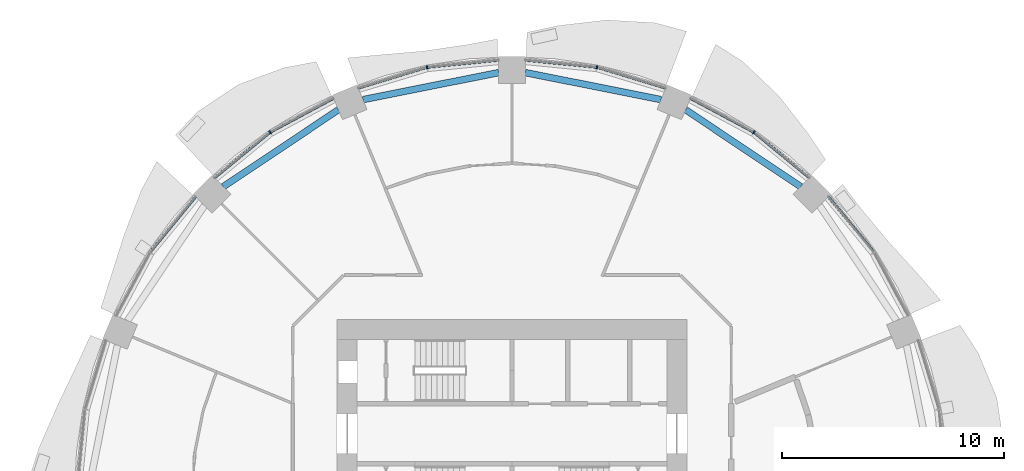
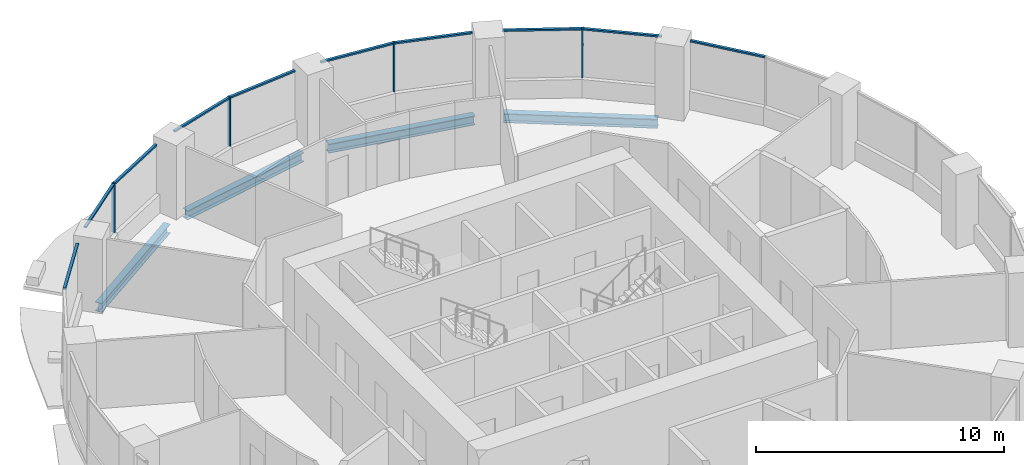
# One storey, part 6 of 15: 14 members, 4 beams, 6 elements without a shape of their own.
"""IFC4 building model written with IfcOpenShell, lengths in metres."""

from ifc_helpers import new_model, si_unit, direction, frame, origin, origin_2d, place, context, subcontext, project, spatial, rectangle, i_section, extrude, material, material_profile, profile_set, type_object, element, aggregate, save


model = new_model("IFC4")

# Units and contexts
model_context = context("Model", 3, precision=1e-05, world=origin(), true_north=direction((0.0, 1.0)))
body_context = subcontext(model_context, "Body", "Model", "MODEL_VIEW")
ifc_project = project(units=[si_unit("LENGTHUNIT", "METRE"), si_unit("AREAUNIT", "SQUARE_METRE"), si_unit("VOLUMEUNIT", "CUBIC_METRE"), si_unit("PLANEANGLEUNIT", "RADIAN"), si_unit("MASSUNIT", "GRAM", prefix="KILO")], contexts=[model_context])

# Site, building, storey
site_placement = place(None, origin())
site = spatial("IfcSite", under=ifc_project, at=site_placement, CompositionType="ELEMENT")
building_placement = place(site_placement, origin())
building = spatial("IfcBuilding", under=site, at=building_placement, Name="Polderwave Tower", CompositionType="ELEMENT")
storey_placement = place(building_placement, frame((0.0, 0.0, 40.800048828125)))
storey = spatial("IfcBuildingStorey", under=building, at=storey_placement, Name="L10", CompositionType="ELEMENT", Elevation=40.800048828125)

# Curtain wall, member
ifc_material_1 = material(Name="Aluminium 6063-T6 and glass", Category="aluminium")
curtain_wall_type = type_object("IfcCurtainWallType", Name="Growing floor ribbon glazing wall", PredefinedType="NOTDEFINED", material=ifc_material_1)
curtain_wall_1_placement = place(storey_placement, origin())
curtain_wall_1 = element("IfcCurtainWall", 1, at=curtain_wall_1_placement, inside=storey, type_object=curtain_wall_type, Name="CW2 L10 02", PredefinedType="NOTDEFINED")
ifc_material_2 = material(Name="Aluminium 6063-T6", Category="aluminium")
ifc_material_profile_1 = material_profile(ifc_material_2, rectangle(XDim=0.14990234375, YDim=0.06005859375, at=origin_2d()), Name="AL 60x150")
ifc_profile_set_1 = profile_set([ifc_material_profile_1], Name="Aluminium 6063-T6")
member_type_1 = type_object("IfcMemberType", Name="Growing floor ribbon glazing mullion 60x150", PredefinedType="MULLION", material=ifc_profile_set_1)
member_1_placement = place(storey_placement, frame((10.89501953125, 16.304931640625, 0.89990234375), z_axis=(0.0, 0.0, 1.0), x_axis=(-0.555571684207, -0.831468642648, 0.0)))
member_1 = element("IfcMember", 2, at=member_1_placement, type_object=member_type_1, Name="CW2 mullion 1", PredefinedType="MULLION", context=body_context, shape_type="SweptSolid", body=[
    extrude(rectangle(XDim=0.14990234375, YDim=0.06005859375, at=origin_2d()), origin(), (0.0, 0.0, 1.0), 2.400146484375),
])

curtain_wall_2_placement = place(storey_placement, origin())
curtain_wall_2 = element("IfcCurtainWall", 3, at=curtain_wall_2_placement, inside=storey, type_object=curtain_wall_type, Name="CW2 L10 03", PredefinedType="NOTDEFINED")
member_2_placement = place(storey_placement, frame((3.825927734375, 19.23291015625, 0.89990234375), z_axis=(0.0, 0.0, 1.0), x_axis=(-0.195177622698, -0.980767911179, 0.0)))
member_2 = element("IfcMember", 4, at=member_2_placement, type_object=member_type_1, Name="CW2 mullion 1", PredefinedType="MULLION", context=body_context, shape_type="SweptSolid", body=[
    extrude(rectangle(XDim=0.14990234375, YDim=0.06005859375, at=origin_2d()), origin(), (0.0, 0.0, 1.0), 2.400146484375),
])

curtain_wall_3_placement = place(storey_placement, origin())
curtain_wall_3 = element("IfcCurtainWall", 5, at=curtain_wall_3_placement, inside=storey, type_object=curtain_wall_type, Name="CW2 L10 04", PredefinedType="NOTDEFINED")
member_3_placement = place(storey_placement, frame((-3.825927734375, 19.23291015625, 0.89990234375), z_axis=(0.0, 0.0, 1.0), x_axis=(0.195177622698, -0.980767911179, 0.0)))
member_3 = element("IfcMember", 6, at=member_3_placement, type_object=member_type_1, Name="CW2 mullion 1", PredefinedType="MULLION", context=body_context, shape_type="SweptSolid", body=[
    extrude(rectangle(XDim=0.14990234375, YDim=0.06005859375, at=origin_2d()), origin(), (0.0, 0.0, 1.0), 2.400146484375),
])

curtain_wall_4_placement = place(storey_placement, origin())
curtain_wall_4 = element("IfcCurtainWall", 7, at=curtain_wall_4_placement, inside=storey, type_object=curtain_wall_type, Name="CW2 L10 05", PredefinedType="NOTDEFINED")
member_4_placement = place(storey_placement, frame((-10.89501953125, 16.304931640625, 0.89990234375), z_axis=(0.0, 0.0, 1.0), x_axis=(0.555571684207, -0.831468642648, 0.0)))
member_4 = element("IfcMember", 8, at=member_4_placement, type_object=member_type_1, Name="CW2 mullion 1", PredefinedType="MULLION", context=body_context, shape_type="SweptSolid", body=[
    extrude(rectangle(XDim=0.14990234375, YDim=0.06005859375, at=origin_2d()), origin(), (0.0, 0.0, 1.0), 2.400146484375),
])

curtain_wall_5_placement = place(storey_placement, origin())
curtain_wall_5 = element("IfcCurtainWall", 9, at=curtain_wall_5_placement, inside=storey, type_object=curtain_wall_type, Name="CW2 L10 01", PredefinedType="NOTDEFINED")
ifc_material_profile_2 = material_profile(ifc_material_2, rectangle(XDim=0.1201171875, YDim=0.080078125, at=origin_2d()), Name="AL 80x120")
ifc_profile_set_2 = profile_set([ifc_material_profile_2], Name="Aluminium 6063-T6")
member_type_2 = type_object("IfcMemberType", Name="Growing floor ribbon glazing transom 80x120", PredefinedType="USERDEFINED", material=ifc_profile_set_2)
member_5_placement = place(storey_placement, frame((16.285888671875, 10.918212890625, 3.260009765625), z_axis=(-0.634429639074, 0.772980616228, 0.0), x_axis=(-0.772980616228, -0.634429639074, 0.0)))
member_5 = element("IfcMember", 10, at=member_5_placement, type_object=member_type_2, Name="CW2 transom 2", ObjectType="TRANSOM", PredefinedType="USERDEFINED", context=body_context, shape_type="SweptSolid", body=[
    extrude(rectangle(XDim=0.1201171875, YDim=0.080078125, at=origin_2d()), origin(), (0.0, 0.0, 1.0), 3.21044921875),
])
aggregate(curtain_wall_5, [member_5])

# Member
member_6_placement = place(storey_placement, frame((13.39990234375, 14.2490234375, 3.260009765625), z_axis=(-0.772980616228, 0.634429639074, 0.0), x_axis=(-0.634429639074, -0.772980616228, 0.0)))
member_6 = element("IfcMember", 11, at=member_6_placement, type_object=member_type_2, Name="CW2 transom 1", ObjectType="TRANSOM", PredefinedType="USERDEFINED", context=body_context, shape_type="SweptSolid", body=[
    extrude(rectangle(XDim=0.1201171875, YDim=0.080078125, at=origin_2d()), origin(), (0.0, 0.0, 1.0), 3.21044921875),
])

member_7_placement = place(storey_placement, frame((10.868408203125, 16.319091796875, 3.260009765625), z_axis=(-0.881933848072, 0.471373193578, 0.0), x_axis=(-0.471373193578, -0.881933848072, 0.0)))
member_7 = element("IfcMember", 12, at=member_7_placement, type_object=member_type_2, Name="CW2 transom 2", ObjectType="TRANSOM", PredefinedType="USERDEFINED", context=body_context, shape_type="SweptSolid", body=[
    extrude(rectangle(XDim=0.1201171875, YDim=0.080078125, at=origin_2d()), origin(), (0.0, 0.0, 1.0), 3.211669921875),
])

aggregate(curtain_wall_1, [member_1, member_6, member_7])

member_8_placement = place(storey_placement, frame((6.927001953125, 18.2919921875, 3.260009765625), z_axis=(-0.956904728961, 0.290402031143, 0.0), x_axis=(-0.290402031143, -0.956904728961, 0.0)))
member_8 = element("IfcMember", 13, at=member_8_placement, type_object=member_type_2, Name="CW2 transom 1", ObjectType="TRANSOM", PredefinedType="USERDEFINED", context=body_context, shape_type="SweptSolid", body=[
    extrude(rectangle(XDim=0.1201171875, YDim=0.080078125, at=origin_2d()), origin(), (0.0, 0.0, 1.0), 3.210693359375),
])

member_9_placement = place(storey_placement, frame((3.796142578125, 19.23583984375, 3.260009765625), z_axis=(-0.99517249074, 0.098141294442, 0.0), x_axis=(-0.098141294442, -0.99517249074, 0.0)))
member_9 = element("IfcMember", 14, at=member_9_placement, type_object=member_type_2, Name="CW2 transom 2", ObjectType="TRANSOM", PredefinedType="USERDEFINED", context=body_context, shape_type="SweptSolid", body=[
    extrude(rectangle(XDim=0.1201171875, YDim=0.080078125, at=origin_2d()), origin(), (0.0, 0.0, 1.0), 3.211669921875),
])

aggregate(curtain_wall_2, [member_2, member_8, member_9])

member_10_placement = place(storey_placement, frame((-0.60009765625, 19.551025390625, 3.260009765625), z_axis=(-0.99517249074, -0.098141294442, 0.0), x_axis=(0.098141294442, -0.99517249074, 0.0)))
member_10 = element("IfcMember", 15, at=member_10_placement, type_object=member_type_2, Name="CW2 transom 1", ObjectType="TRANSOM", PredefinedType="USERDEFINED", context=body_context, shape_type="SweptSolid", body=[
    extrude(rectangle(XDim=0.1201171875, YDim=0.080078125, at=origin_2d()), origin(), (0.0, 0.0, 1.0), 3.211669921875),
])

member_11_placement = place(storey_placement, frame((-3.854736328125, 19.224365234375, 3.260009765625), z_axis=(-0.956904728961, -0.290402031143, 0.0), x_axis=(0.290402031143, -0.956904728961, 0.0)))
member_11 = element("IfcMember", 16, at=member_11_placement, type_object=member_type_2, Name="CW2 transom 2", ObjectType="TRANSOM", PredefinedType="USERDEFINED", context=body_context, shape_type="SweptSolid", body=[
    extrude(rectangle(XDim=0.1201171875, YDim=0.080078125, at=origin_2d()), origin(), (0.0, 0.0, 1.0), 3.210693359375),
])

aggregate(curtain_wall_3, [member_3, member_10, member_11])

member_12_placement = place(storey_placement, frame((-8.035888671875, 17.8330078125, 3.260009765625), z_axis=(-0.881933848072, -0.471373193578, 0.0), x_axis=(0.471373193578, -0.881933848072, 0.0)))
member_12 = element("IfcMember", 17, at=member_12_placement, type_object=member_type_2, Name="CW2 transom 1", ObjectType="TRANSOM", PredefinedType="USERDEFINED", context=body_context, shape_type="SweptSolid", body=[
    extrude(rectangle(XDim=0.1201171875, YDim=0.080078125, at=origin_2d()), origin(), (0.0, 0.0, 1.0), 3.211669921875),
])

member_13_placement = place(storey_placement, frame((-10.918212890625, 16.285888671875, 3.260009765625), z_axis=(-0.772980616228, -0.634429639074, 0.0), x_axis=(0.634429639074, -0.772980616228, 0.0)))
member_13 = element("IfcMember", 18, at=member_13_placement, type_object=member_type_2, Name="CW2 transom 2", ObjectType="TRANSOM", PredefinedType="USERDEFINED", context=body_context, shape_type="SweptSolid", body=[
    extrude(rectangle(XDim=0.1201171875, YDim=0.080078125, at=origin_2d()), origin(), (0.0, 0.0, 1.0), 3.21044921875),
])

aggregate(curtain_wall_4, [member_4, member_12, member_13])

# Curtain wall, member
curtain_wall_6_placement = place(storey_placement, origin())
curtain_wall_6 = element("IfcCurtainWall", 19, at=curtain_wall_6_placement, inside=storey, type_object=curtain_wall_type, Name="CW2 L10 06", PredefinedType="NOTDEFINED")
member_14_placement = place(storey_placement, frame((-14.2490234375, 13.39990234375, 3.260009765625), z_axis=(-0.634429639074, -0.772980616228, 0.0), x_axis=(0.772980616228, -0.634429639074, 0.0)))
member_14 = element("IfcMember", 20, at=member_14_placement, type_object=member_type_2, Name="CW2 transom 1", ObjectType="TRANSOM", PredefinedType="USERDEFINED", context=body_context, shape_type="SweptSolid", body=[
    extrude(rectangle(XDim=0.1201171875, YDim=0.080078125, at=origin_2d()), origin(), (0.0, 0.0, 1.0), 3.21044921875),
])
aggregate(curtain_wall_6, [member_14])

# Beams
ifc_material_3 = material(Name="Steel S355", Category="steel")
ifc_material_profile_3 = material_profile(ifc_material_3, i_section(OverallWidth=0.300048828125, OverallDepth=0.449951171875, WebThickness=0.013916015625, FlangeThickness=0.02587890625, at=origin_2d()), Name="HE 450 B")
ifc_profile_set_3 = profile_set([ifc_material_profile_3], Name="Steel S355")
beam_type = type_object("IfcBeamType", Name="RING BEAM HE 450 B", PredefinedType="BEAM", material=ifc_profile_set_3)
beam_1_placement = place(storey_placement, frame((13.004150390625, 13.852783203125, -0.574951171875), z_axis=(-0.831477355721, 0.555558644, 0.0), x_axis=(-0.555558644, -0.831477355721, 0.0)))
element("IfcBeam", 21, at=beam_1_placement, inside=storey, type_object=beam_type, Name="ST-RB-L10-02", PredefinedType="BEAM", context=body_context, shape_type="SweptSolid", body=[
    extrude(i_section(OverallWidth=0.300048828125, OverallDepth=0.449951171875, WebThickness=0.013916015625, FlangeThickness=0.02587890625, at=origin_2d()), origin(), (0.0, 0.0, 1.0), 6.232666015625),
])
for number, where, z_axis, x_axis, name in (
    (22, (6.713134765625, 17.774658203125, -0.574951171875), (-0.980782033233, 0.195106645934, 0.0), (-0.195106645934, -0.980782033233, 0.0), "ST-RB-L10-03"),
    (23, (-0.60009765625, 18.99072265625, -0.574951171875), (-0.980782033233, -0.195106645934, 0.0), (0.195106645934, -0.980782033233, 0.0), "ST-RB-L10-04"),
):
    element("IfcBeam", number, at=place(storey_placement, frame(where, z_axis=z_axis, x_axis=x_axis)), inside=storey, type_object=beam_type, Name=name, PredefinedType="BEAM", context=body_context, shape_type="SweptSolid", body=[
        extrude(i_section(OverallWidth=0.300048828125, OverallDepth=0.449951171875, WebThickness=0.013916015625, FlangeThickness=0.02587890625, at=origin_2d()), origin(), (0.0, 0.0, 1.0), 6.23291015625),
    ])
beam_2_placement = place(storey_placement, frame((-7.82177734375, 17.3154296875, -0.574951171875), z_axis=(-0.831477355721, -0.555558644, 0.0), x_axis=(0.555558644, -0.831477355721, 0.0)))
element("IfcBeam", 24, at=beam_2_placement, inside=storey, type_object=beam_type, Name="ST-RB-L10-05", PredefinedType="BEAM", context=body_context, shape_type="SweptSolid", body=[
    extrude(i_section(OverallWidth=0.300048828125, OverallDepth=0.449951171875, WebThickness=0.013916015625, FlangeThickness=0.02587890625, at=origin_2d()), origin(), (0.0, 0.0, 1.0), 6.232666015625),
])

save(model, "model.ifc")
